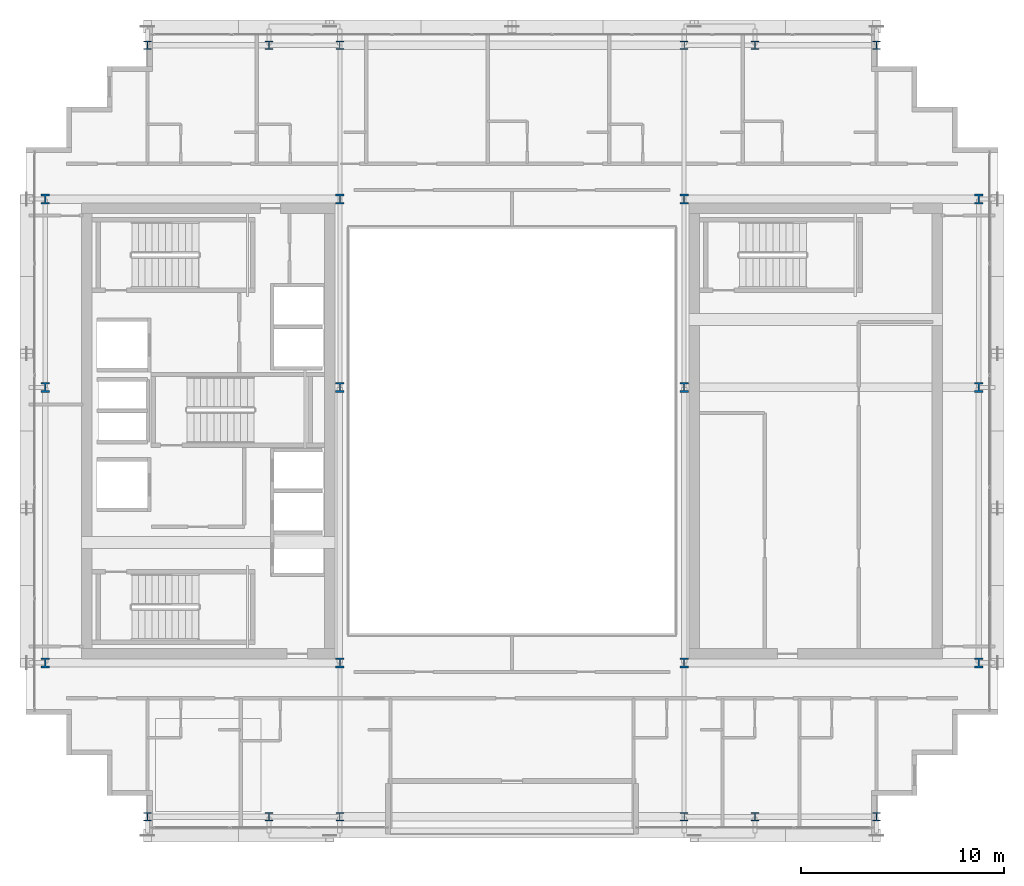
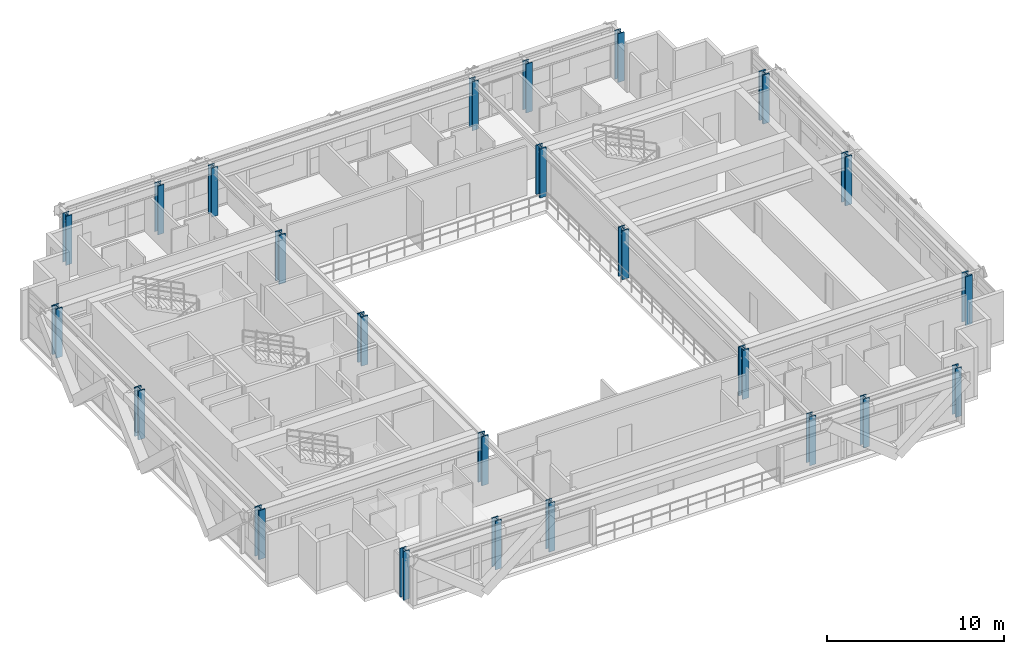
# One storey, part 1 of 32: 24 columns.
"""IFC4 building model written with IfcOpenShell, lengths in metres."""

from ifc_helpers import new_model, si_unit, direction, frame, origin, origin_2d, place, context, subcontext, project, spatial, i_section, extrude, source, transform, mapped, material, material_profile, profile_set, type_object, element, save


model = new_model("IFC4")

# Units and contexts
model_context = context("Model", 3, precision=1e-05, world=origin(), true_north=direction((0.0, 1.0)))
body_context = subcontext(model_context, "Body", "Model", "MODEL_VIEW")
ifc_project = project(units=[si_unit("LENGTHUNIT", "METRE"), si_unit("AREAUNIT", "SQUARE_METRE"), si_unit("VOLUMEUNIT", "CUBIC_METRE"), si_unit("PLANEANGLEUNIT", "RADIAN"), si_unit("MASSUNIT", "GRAM", prefix="KILO")], contexts=[model_context])

# Site, building, storey
site_placement = place(None, origin())
site = spatial("IfcSite", under=ifc_project, at=site_placement, CompositionType="ELEMENT")
building_placement = place(site_placement, origin())
building = spatial("IfcBuilding", under=site, at=building_placement, Name="Ocotamira Hotel", CompositionType="ELEMENT")
storey_placement = place(building_placement, frame((0.0, 0.0, 206.39990234375)))
storey = spatial("IfcBuildingStorey", under=building, at=storey_placement, Name="L52", CompositionType="ELEMENT", Elevation=206.39990234375)

# Columns
ifc_material = material(Name="Steel ASTM A913 Grade 65", Category="steel")
ifc_material_profile_1 = material_profile(ifc_material, i_section(OverallWidth=0.431884765625, OverallDepth=0.498046875, WebThickness=0.0556640625, FlangeThickness=0.0888671875, FilletRadius=0.02490234375, at=origin_2d()), Name="W14X500")
ifc_profile_set_1 = profile_set([ifc_material_profile_1], Name="Steel ASTM A913 Grade 65")
column_type_1 = type_object("IfcColumnType", Name="COL-W14X500", PredefinedType="COLUMN", material=ifc_profile_set_1)
shared_shape_1 = source(origin(), body_context, "Body", "SweptSolid", [
    extrude(i_section(OverallWidth=0.431884765625, OverallDepth=0.498046875, WebThickness=0.0556640625, FlangeThickness=0.0888671875, FilletRadius=0.02490234375, at=origin_2d()), origin(), (0.0, 0.0, 1.0), 3.3701171875),
])
for number, where, z_axis, x_axis, name in (
    (1, (8.949951171875, 14.550048828125, 0.0), (0.0, 0.0, 1.0), (1.0, 0.0, 0.0), "L52 Column TW8_14"),
    (2, (23.5, 14.550048828125, 0.0), (0.0, 0.0, 1.0), (1.0, 0.0, 0.0), "L52 Column TW23_14"),
    (3, (40.5, 14.550048828125, 0.0), (0.0, 0.0, 1.0), (1.0, 0.0, 0.0), "L52 Column TE40_14"),
    (4, (55.050048828125, 14.550048828125, 0.0), (0.0, 0.0, 1.0), (1.0, 0.0, 0.0), "L52 Column TE55_14"),
    (5, (8.949951171875, 28.14990234375, 0.0), (0.0, 0.0, 1.0), (1.0, 0.0, 0.0), "L52 Column TW8_28"),
    (6, (23.5, 28.14990234375, 0.0), (0.0, 0.0, 1.0), (1.0, 0.0, 0.0), "L52 Column TW23_28"),
    (7, (40.5, 28.14990234375, 0.0), (0.0, 0.0, 1.0), (1.0, 0.0, 0.0), "L52 Column TE40_28"),
    (8, (55.050048828125, 28.14990234375, 0.0), (0.0, 0.0, 1.0), (1.0, 0.0, 0.0), "L52 Column TE55_28"),
    (9, (8.949951171875, 37.449951171875, 0.0), (0.0, 0.0, 1.0), (1.0, 0.0, 0.0), "L52 Column TW8_37"),
    (10, (23.5, 37.449951171875, 0.0), (0.0, 0.0, 1.0), (1.0, 0.0, 0.0), "L52 Column TW23_37"),
    (11, (40.5, 37.449951171875, 0.0), (0.0, 0.0, 1.0), (1.0, 0.0, 0.0), "L52 Column TE40_37"),
    (12, (55.050048828125, 37.449951171875, 0.0), (0.0, 0.0, 1.0), (1.0, 0.0, 0.0), "L52 Column TE55_37"),
):
    element("IfcColumn", number, at=place(storey_placement, frame(where, z_axis=z_axis, x_axis=x_axis)), inside=storey, type_object=column_type_1, Name=name, PredefinedType="COLUMN", context=body_context, shape_type="MappedRepresentation", body=[
        mapped(shared_shape_1, transform((0.0, 0.0, 0.0), scale=1.0)),
    ])
ifc_material_profile_2 = material_profile(ifc_material, i_section(OverallWidth=0.404052734375, OverallDepth=0.406982421875, WebThickness=0.027099609375, FlangeThickness=0.043701171875, FilletRadius=0.02490234375, at=origin_2d()), Name="W14X233")
ifc_profile_set_2 = profile_set([ifc_material_profile_2], Name="Steel ASTM A913 Grade 65")
column_type_2 = type_object("IfcColumnType", Name="COL-W14X233", PredefinedType="COLUMN", material=ifc_profile_set_2)
shared_shape_2 = source(origin(), body_context, "Body", "SweptSolid", [
    extrude(i_section(OverallWidth=0.404052734375, OverallDepth=0.406982421875, WebThickness=0.027099609375, FlangeThickness=0.043701171875, FilletRadius=0.02490234375, at=origin_2d()), origin(), (0.0, 0.0, 1.0), 3.3701171875),
])
for number, where, z_axis, x_axis, name in (
    (13, (14.0, 6.949951171875, 0.0), (0.0, 0.0, 1.0), (1.0, 0.0, 0.0), "L52 Column NSP1_14"),
    (14, (20.0, 6.949951171875, 0.0), (0.0, 0.0, 1.0), (1.0, 0.0, 0.0), "L52 Column NSP1_20"),
    (15, (23.5, 6.949951171875, 0.0), (0.0, 0.0, 1.0), (1.0, 0.0, 0.0), "L52 Column NSP1_23"),
    (16, (40.5, 6.949951171875, 0.0), (0.0, 0.0, 1.0), (1.0, 0.0, 0.0), "L52 Column NSP1_40"),
    (17, (44.0, 6.949951171875, 0.0), (0.0, 0.0, 1.0), (1.0, 0.0, 0.0), "L52 Column NSP1_44"),
    (18, (50.0, 6.949951171875, 0.0), (0.0, 0.0, 1.0), (1.0, 0.0, 0.0), "L52 Column NSP1_50"),
    (19, (14.0, 45.050048828125, 0.0), (0.0, 0.0, 1.0), (1.0, 0.0, 0.0), "L52 Column NSP2_14"),
    (20, (20.0, 45.050048828125, 0.0), (0.0, 0.0, 1.0), (1.0, 0.0, 0.0), "L52 Column NSP2_20"),
    (21, (23.5, 45.050048828125, 0.0), (0.0, 0.0, 1.0), (1.0, 0.0, 0.0), "L52 Column NSP2_23"),
    (22, (40.5, 45.050048828125, 0.0), (0.0, 0.0, 1.0), (1.0, 0.0, 0.0), "L52 Column NSP2_40"),
    (23, (44.0, 45.050048828125, 0.0), (0.0, 0.0, 1.0), (1.0, 0.0, 0.0), "L52 Column NSP2_44"),
    (24, (50.0, 45.050048828125, 0.0), (0.0, 0.0, 1.0), (1.0, 0.0, 0.0), "L52 Column NSP2_50"),
):
    element("IfcColumn", number, at=place(storey_placement, frame(where, z_axis=z_axis, x_axis=x_axis)), inside=storey, type_object=column_type_2, Name=name, PredefinedType="COLUMN", context=body_context, shape_type="MappedRepresentation", body=[
        mapped(shared_shape_2, transform((0.0, 0.0, 0.0), scale=1.0)),
    ])

save(model, "model.ifc")
